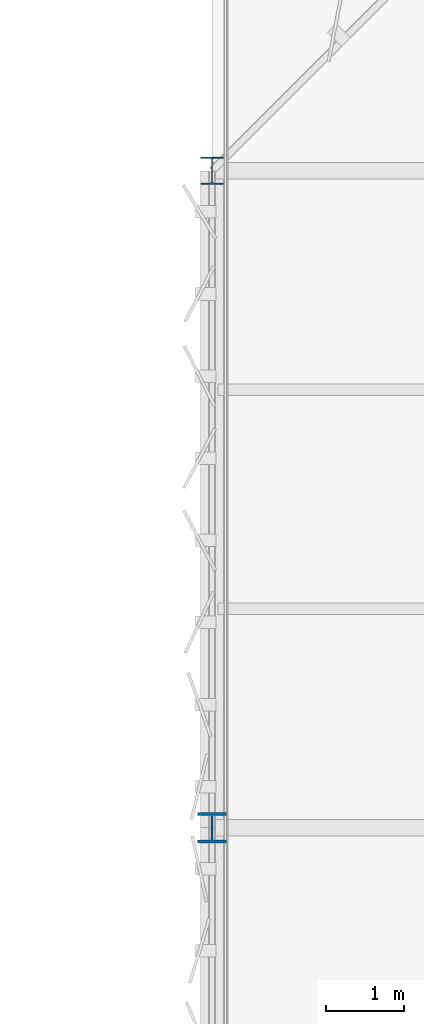
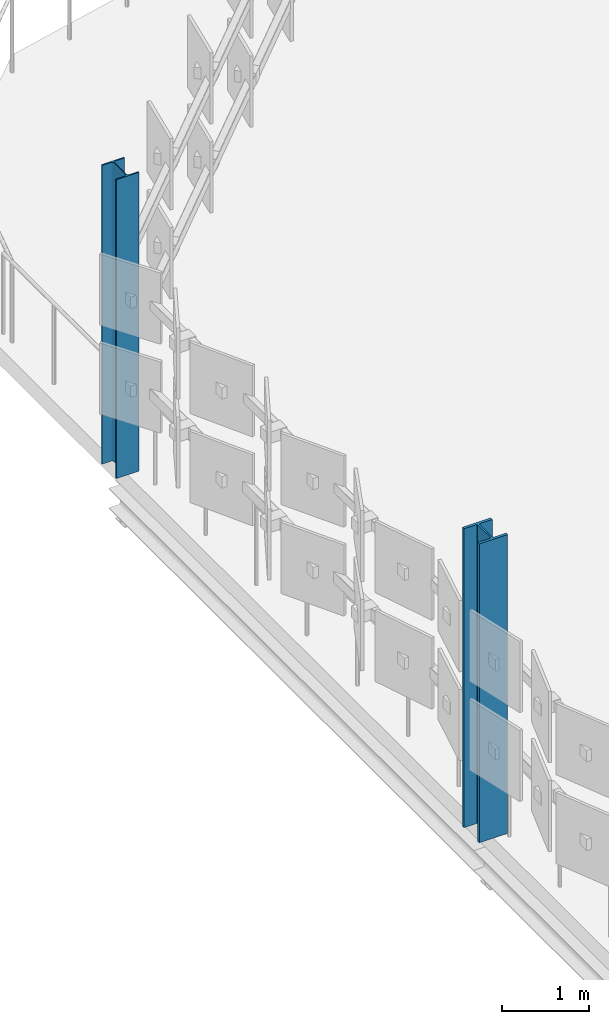
# One storey, part 11 of 184: 2 columns.
"""IFC4 building model written with IfcOpenShell, lengths in metres."""

from ifc_helpers import new_model, si_unit, direction, frame, origin, origin_2d, place, context, subcontext, project, spatial, i_section, extrude, material, material_profile, profile_set, type_object, element, save


model = new_model("IFC4")

# Units and contexts
model_context = context("Model", 3, precision=1e-05, world=origin(), true_north=direction((0.0, 1.0)))
body_context = subcontext(model_context, "Body", "Model", "MODEL_VIEW")
ifc_project = project(units=[si_unit("LENGTHUNIT", "METRE"), si_unit("AREAUNIT", "SQUARE_METRE"), si_unit("VOLUMEUNIT", "CUBIC_METRE"), si_unit("PLANEANGLEUNIT", "RADIAN"), si_unit("MASSUNIT", "GRAM", prefix="KILO")], contexts=[model_context])

# Site, building, storey
site_placement = place(None, origin())
site = spatial("IfcSite", under=ifc_project, at=site_placement, CompositionType="ELEMENT")
building_placement = place(site_placement, origin())
building = spatial("IfcBuilding", under=site, at=building_placement, Name="Qalvenar Corner Mobility Hub", CompositionType="ELEMENT")
storey_placement = place(building_placement, frame((0.0, 0.0, 9.0)))
storey = spatial("IfcBuildingStorey", under=building, at=storey_placement, Name="L02", CompositionType="ELEMENT", Elevation=9.0)

# Columns
ifc_material = material(Name="Steel S355", Category="steel")
ifc_material_profile_1 = material_profile(ifc_material, i_section(OverallWidth=0.376953125, OverallDepth=0.386962890625, WebThickness=0.0224609375, FlangeThickness=0.035888671875, FilletRadius=0.014892578125, at=origin_2d()), Name="HD360x262")
ifc_profile_set_1 = profile_set([ifc_material_profile_1], Name="Steel S355")
column_type_1 = type_object("IfcColumnType", Name="COL-HD360X262", PredefinedType="COLUMN", material=ifc_profile_set_1)
column_1_placement = place(storey_placement, frame((58.800048828125, 100.800048828125, 0.0), z_axis=(0.0, 0.0, 1.0), x_axis=(1.0, 0.0, 0.0)))
element("IfcColumn", 1, at=column_1_placement, inside=storey, type_object=column_type_1, Name="Steel Column L02-G8-12", PredefinedType="COLUMN", context=body_context, shape_type="SweptSolid", body=[
    extrude(i_section(OverallWidth=0.376953125, OverallDepth=0.386962890625, WebThickness=0.0224609375, FlangeThickness=0.035888671875, FilletRadius=0.014892578125, at=origin_2d()), origin(), (0.0, 0.0, 1.0), 4.199951171875),
])
ifc_material_profile_2 = material_profile(ifc_material, i_section(OverallWidth=0.300048828125, OverallDepth=0.35009765625, WebThickness=0.010009765625, FlangeThickness=0.017578125, FilletRadius=0.027099609375, at=origin_2d()), Name="HEA360")
ifc_profile_set_2 = profile_set([ifc_material_profile_2], Name="Steel S355")
column_type_2 = type_object("IfcColumnType", Name="COL-HEA360", PredefinedType="COLUMN", material=ifc_profile_set_2)
column_2_placement = place(storey_placement, frame((58.800048828125, 109.199951171875, 0.0), z_axis=(0.0, 0.0, 1.0), x_axis=(1.0, 0.0, 0.0)))
element("IfcColumn", 2, at=column_2_placement, inside=storey, type_object=column_type_2, Name="Steel Column L02-G8-13", PredefinedType="COLUMN", context=body_context, shape_type="SweptSolid", body=[
    extrude(i_section(OverallWidth=0.300048828125, OverallDepth=0.35009765625, WebThickness=0.010009765625, FlangeThickness=0.017578125, FilletRadius=0.027099609375, at=origin_2d()), origin(), (0.0, 0.0, 1.0), 4.199951171875),
])

save(model, "model.ifc")
